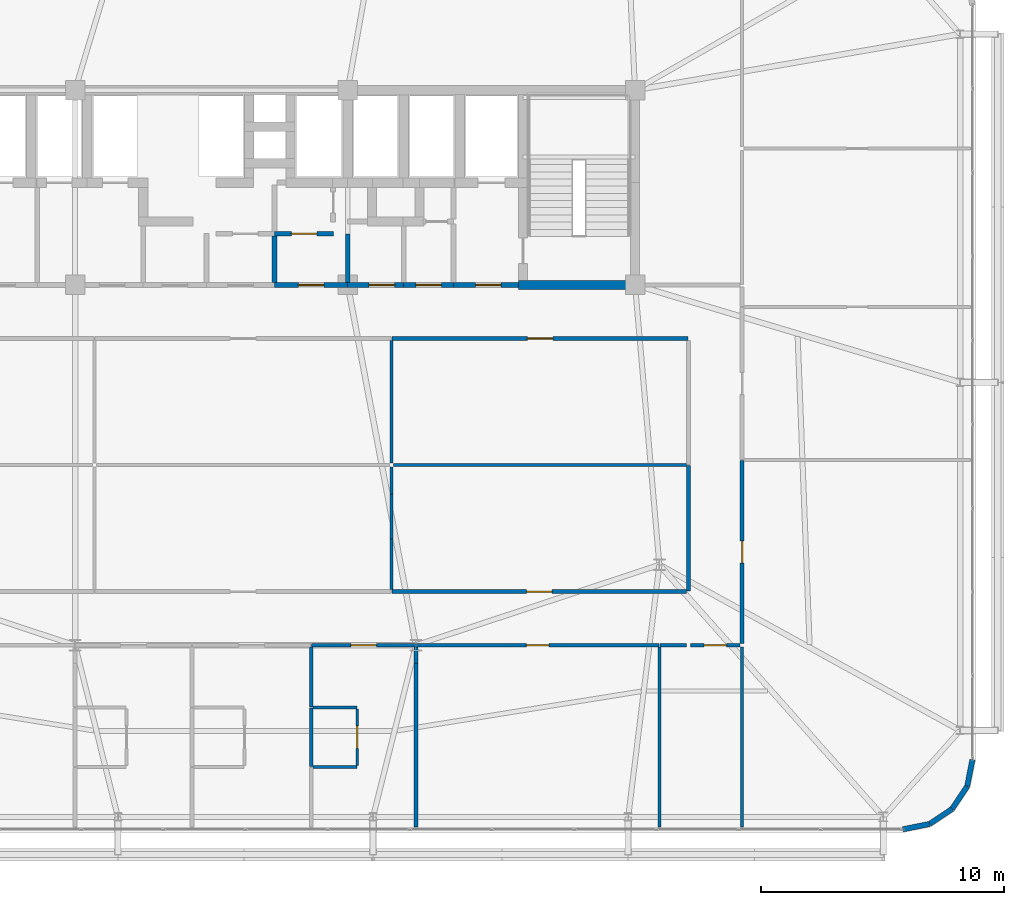
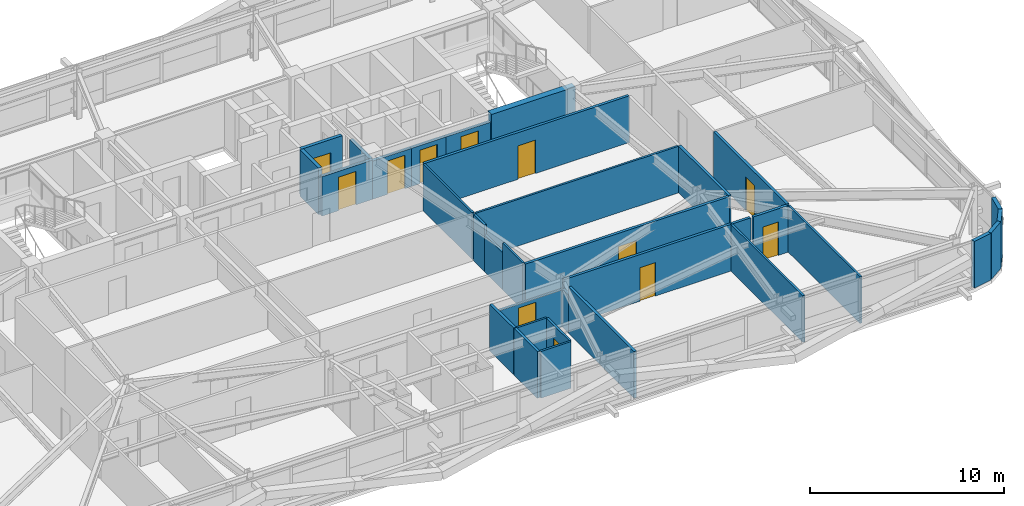
# One storey, part 54 of 59: 34 walls, 12 doors, 12 openings.
"""IFC4 building model written with IfcOpenShell, lengths in metres."""

from ifc_helpers import new_model, si_unit, direction, frame, frame_2d, origin, place, context, subcontext, project, spatial, rectangle, extrude, source, transform, mapped, material, layer, layer_set, type_object, element, fill, save


model = new_model("IFC4")

# Units and contexts
model_context = context("Model", 3, precision=1e-05, world=origin(), true_north=direction((0.0, 1.0)))
body_context = subcontext(model_context, "Body", "Model", "MODEL_VIEW")
ifc_project = project(units=[si_unit("LENGTHUNIT", "METRE"), si_unit("AREAUNIT", "SQUARE_METRE"), si_unit("VOLUMEUNIT", "CUBIC_METRE"), si_unit("PLANEANGLEUNIT", "RADIAN"), si_unit("MASSUNIT", "GRAM", prefix="KILO")], contexts=[model_context])

# Site, building, storey
site_placement = place(None, origin())
site = spatial("IfcSite", under=ifc_project, at=site_placement, CompositionType="ELEMENT")
building_placement = place(site_placement, origin())
building = spatial("IfcBuilding", under=site, at=building_placement, Name="Taldren Reach Tower", CompositionType="ELEMENT")
storey_placement = place(building_placement, frame((0.0, 0.0, 48.300048828125)))
storey = spatial("IfcBuildingStorey", under=building, at=storey_placement, Name="L14", CompositionType="ELEMENT", Elevation=48.300048828125)

# Walls
ifc_material_1 = material(Name="Pale Champagne Anodised Aluminium Cladding", Category="aluminium")
ifc_layer_1 = layer(ifc_material_1, 0.04, Name="Pale Champagne Anodised Aluminium Cladding", Category="aluminium")
ifc_material_2 = material(Name="Mineral Wool Acoustic Insulation", Category="insulation")
ifc_layer_2 = layer(ifc_material_2, 0.06, Name="Mineral Wool Acoustic Insulation", Category="insulation")
ifc_material_3 = material(Name="Steel Gr 350 (C350L0)", Category="steel")
ifc_layer_3 = layer(ifc_material_3, 0.12, Name="Steel Gr 350 (C350L0)", Category="steel")
ifc_layer_set_1 = layer_set([ifc_layer_1, ifc_layer_2, ifc_layer_3], Name="Pale Champagne Aluminium Cladding and Steel Gr 350 Stud Framing")
wall_type_1 = type_object("IfcWallType", Name="EW-CRN-220", PredefinedType="SOLIDWALL", material=ifc_layer_set_1)
shared_shape_1 = source(origin(), body_context, "Body", "SweptSolid", [
    extrude(rectangle(XDim=1.115966796875, YDim=0.219970703125, at=frame_2d((0.55810546875, 0.0))), origin(), (0.0, 0.0, 1.0), 2.929931640625),
])
for number, where, z_axis, x_axis, name in (
    (1, (62.0, 1.639892578125, 0.0), (0.0, 0.0, 1.0), (0.98077373103, 0.195148375659, 0.0), "Rounded-corner pale-metal facade wall L14-SE1"),
    (2, (63.094482421875, 1.857666015625, 0.0), (0.0, 0.0, 1.0), (0.83137650226, 0.555709556774, 0.0), "Rounded-corner pale-metal facade wall L14-SE2"),
    (3, (64.022216796875, 2.477783203125, 0.0), (0.0, 0.0, 1.0), (0.555709556774, 0.83137650226, 0.0), "Rounded-corner pale-metal facade wall L14-SE3"),
    (4, (64.642333984375, 3.405517578125, 0.0), (0.0, 0.0, 1.0), (0.195148375659, 0.98077373103, 0.0), "Rounded-corner pale-metal facade wall L14-SE4"),
):
    element("IfcWall", number, at=place(storey_placement, frame(where, z_axis=z_axis, x_axis=x_axis)), inside=storey, type_object=wall_type_1, Name=name, PredefinedType="SOLIDWALL", context=body_context, shape_type="MappedRepresentation", body=[
        mapped(shared_shape_1, transform((0.0, 0.0, 0.0), scale=1.0)),
    ])
ifc_material_4 = material(Name="Concrete S80 (80 MPa)", Category="concrete")
ifc_layer_4 = layer(ifc_material_4, 0.3798828125)
ifc_layer_set_2 = layer_set([ifc_layer_4], Name="Concrete S80 (80 MPa)")
wall_type_2 = type_object("IfcWallType", Name="IW-CORE-380", PredefinedType="SHEAR", material=ifc_layer_set_2)
shared_shape_2 = source(origin(), body_context, "Body", "SweptSolid", [
    extrude(rectangle(XDim=4.97998046875, YDim=0.3798828125, at=frame_2d((2.489990234375, 0.0))), origin(), (0.0, 0.0, 1.0), 2.929931640625),
])
wall_1_placement = place(storey_placement, frame((46.2099609375, 24.0, 0.0), z_axis=(0.0, 0.0, 1.0), x_axis=(1.0, 0.0, 0.0)))
element("IfcWall", 5, at=wall_1_placement, inside=storey, type_object=wall_type_2, Name="Rear Core Shear Wall W-INT-L14-010", PredefinedType="SHEAR", context=body_context, shape_type="MappedRepresentation", body=[
    mapped(shared_shape_2, transform((0.0, 0.0, 0.0), scale=1.0)),
])

# Wall, opening, door
ifc_material_5 = material(Name="Concrete S50 (50 MPa)", Category="concrete")
ifc_layer_5 = layer(ifc_material_5, 0.199951171875)
ifc_layer_set_3 = layer_set([ifc_layer_5], Name="Concrete S50 (50 MPa)")
wall_type_3 = type_object("IfcWallType", Name="IW-CORE-200", PredefinedType="SOLIDWALL", material=ifc_layer_set_3)
shared_shape_3 = source(origin(), body_context, "Body", "SweptSolid", [
    extrude(rectangle(XDim=2.659912109375, YDim=0.199951171875, at=frame_2d((1.330078125, 0.0))), origin(), (0.0, 0.0, 1.0), 2.39697265625),
])
wall_2_placement = place(storey_placement, frame((43.550048828125, 24.0, 0.0), z_axis=(0.0, 0.0, 1.0), x_axis=(1.0, 0.0, 0.0)))
wall_2 = element("IfcWall", 6, at=wall_2_placement, inside=storey, type_object=wall_type_3, Name="Rear Core Shear Wall W-INT-L14-015", PredefinedType="SOLIDWALL", context=body_context, shape_type="MappedRepresentation", body=[
    mapped(shared_shape_3, transform((0.0, 0.0, 0.0), scale=1.0)),
])
shared_shape_4 = source(origin(), body_context, "Body", "SweptSolid", [
    extrude(rectangle(XDim=1.050048828125, YDim=2.10009765625, at=frame_2d((0.52490234375, 1.050048828125))), frame((0.0, 0.10986328125, 0.0), z_axis=(0.0, -1.0, 0.0), x_axis=(1.0, 0.0, 0.0)), (0.0, 0.0, 1.0), 0.219970703125),
])
opening_1_placement = place(wall_2_placement, frame((0.89990234375, 0.0, 0.0)))
opening_1 = element("IfcOpeningElement", 7, at=opening_1_placement, cuts=wall_2, Name="Opening DF-105", PredefinedType="OPENING", context=body_context, shape_type="MappedRepresentation", body=[
    mapped(shared_shape_4, transform((0.0, 0.0, 0.0), scale=1.0)),
])
ifc_material_6 = material(Name="Fire-Rated Care and Stair Exit Door")
door_type_1 = type_object("IfcDoorType", Name="ID-FIRE-105", OperationType="NOTDEFINED", PredefinedType="DOOR", material=ifc_material_6)
shared_shape_5 = source(origin(), body_context, "Body", "SweptSolid", [
    extrude(rectangle(XDim=1.050048828125, YDim=2.10009765625, at=frame_2d((0.52490234375, 1.050048828125))), frame((0.0, 0.02490234375, 0.0), z_axis=(0.0, -1.0, 0.0), x_axis=(1.0, 0.0, 0.0)), (0.0, 0.0, 1.0), 0.050048828125),
])
door_1_placement = place(opening_1_placement, origin())
door_1 = element("IfcDoor", 8, at=door_1_placement, inside=storey, type_object=door_type_1, Name="Interior Door DR-L14-004", OperationType="SINGLE_SWING_LEFT", OverallHeight=2.10009765625, OverallWidth=1.050048828125, PredefinedType="DOOR", context=body_context, shape_type="MappedRepresentation", body=[
    mapped(shared_shape_5, transform((0.0, 0.0, 0.0), scale=1.0)),
])
fill(opening_1, door_1)

# Wall
shared_shape_6 = source(origin(), body_context, "Body", "SweptSolid", [
    extrude(rectangle(XDim=2.0, YDim=0.199951171875, at=frame_2d((1.0, 0.0))), origin(), (0.0, 0.0, 1.0), 2.469970703125),
])
wall_3_placement = place(storey_placement, frame((39.199951171875, 26.10009765625, 0.0), z_axis=(0.0, 0.0, 1.0), x_axis=(0.0, -1.0, 0.0)))
element("IfcWall", 9, at=wall_3_placement, inside=storey, type_object=wall_type_3, Name="Rear Core Shear Wall W-INT-L14-052", PredefinedType="SOLIDWALL", context=body_context, shape_type="MappedRepresentation", body=[
    mapped(shared_shape_6, transform((0.0, 0.0, 0.0), scale=1.0)),
])

# Wall, opening, door
ifc_material_7 = material(Name="Fire-Rated Acoustic Plasterboard Stud Wall", Category="gypsum")
ifc_layer_6 = layer(ifc_material_7, 0.159912109375)
ifc_layer_set_4 = layer_set([ifc_layer_6], Name="Fire-Rated Acoustic Plasterboard Stud Wall")
wall_type_4 = type_object("IfcWallType", Name="IW-FIRE-160", PredefinedType="PARTITIONING", material=ifc_layer_set_4)
shared_shape_7 = source(origin(), body_context, "Body", "SweptSolid", [
    extrude(rectangle(XDim=2.0400390625, YDim=0.159912109375, at=frame_2d((1.02001953125, 0.0))), origin(), (0.0, 0.0, 1.0), 2.929931640625),
])
wall_4_placement = place(storey_placement, frame((55.320068359375, 9.199951171875, 0.0), z_axis=(0.0, 0.0, 1.0), x_axis=(-1.0, 0.0, 0.0)))
wall_4 = element("IfcWall", 10, at=wall_4_placement, inside=storey, type_object=wall_type_4, Name="Interior Partition Wall W-INT-L14-068", PredefinedType="PARTITIONING", context=body_context, shape_type="MappedRepresentation", body=[
    mapped(shared_shape_7, transform((0.0, 0.0, 0.0), scale=1.0)),
])
shared_shape_8 = source(origin(), body_context, "Body", "SweptSolid", [
    extrude(rectangle(XDim=0.919921875, YDim=2.10009765625, at=frame_2d((0.4599609375, 1.050048828125))), frame((0.0, 0.08984375, 0.0), z_axis=(0.0, -1.0, 0.0), x_axis=(1.0, 0.0, 0.0)), (0.0, 0.0, 1.0), 0.179931640625),
])
opening_2_placement = place(wall_4_placement, frame((0.56005859375, 0.0, 0.0)))
opening_2 = element("IfcOpeningElement", 11, at=opening_2_placement, cuts=wall_4, Name="Opening DI-092", PredefinedType="OPENING", context=body_context, shape_type="MappedRepresentation", body=[
    mapped(shared_shape_8, transform((0.0, 0.0, 0.0), scale=1.0)),
])
ifc_material_8 = material(Name="Solid-Core Timber Suite Door", Category="wood")
door_type_2 = type_object("IfcDoorType", Name="ID-INT-092", OperationType="NOTDEFINED", PredefinedType="DOOR", material=ifc_material_8)
shared_shape_9 = source(origin(), body_context, "Body", "SweptSolid", [
    extrude(rectangle(XDim=0.919921875, YDim=2.10009765625, at=frame_2d((0.4599609375, 1.050048828125))), frame((0.0, 0.02490234375, 0.0), z_axis=(0.0, -1.0, 0.0), x_axis=(1.0, 0.0, 0.0)), (0.0, 0.0, 1.0), 0.050048828125),
])
door_2_placement = place(opening_2_placement, origin())
door_2 = element("IfcDoor", 12, at=door_2_placement, inside=storey, type_object=door_type_2, Name="Interior Door DR-L14-018", OperationType="SINGLE_SWING_LEFT", OverallHeight=2.10009765625, OverallWidth=0.919921875, PredefinedType="DOOR", context=body_context, shape_type="MappedRepresentation", body=[
    mapped(shared_shape_9, transform((0.0, 0.0, 0.0), scale=1.0)),
])
fill(opening_2, door_2)

# Walls
ifc_material_9 = material(Name="Insulated Residential Stud Partition", Category="gypsum")
ifc_layer_7 = layer(ifc_material_9, 0.1201171875)
ifc_layer_set_5 = layer_set([ifc_layer_7], Name="Insulated Residential Stud Partition")
wall_type_5 = type_object("IfcWallType", Name="IW-PART-120", PredefinedType="PARTITIONING", material=ifc_layer_set_5)
shared_shape_10 = source(origin(), body_context, "Body", "SweptSolid", [
    extrude(rectangle(XDim=7.39013671875, YDim=0.1201171875, at=frame_2d((3.695068359375, 0.0))), origin(), (0.0, 0.0, 1.0), 2.929931640625),
])
wall_5_placement = place(storey_placement, frame((52.0, 9.1201171875, 0.0), z_axis=(0.0, 0.0, 1.0), x_axis=(0.0, -1.0, 0.0)))
element("IfcWall", 13, at=wall_5_placement, inside=storey, type_object=wall_type_5, Name="Interior Partition Wall W-INT-L14-115", PredefinedType="PARTITIONING", context=body_context, shape_type="MappedRepresentation", body=[
    mapped(shared_shape_10, transform((0.0, 0.0, 0.0), scale=1.0)),
])
shared_shape_11 = source(origin(), body_context, "Body", "SweptSolid", [
    extrude(rectangle(XDim=5.15966796875, YDim=0.159912109375, at=frame_2d((2.579833984375, 0.0))), origin(), (0.0, 0.0, 1.0), 2.929931640625),
])
wall_6_placement = place(storey_placement, frame((53.199951171875, 11.420166015625, 0.0), z_axis=(0.0, 0.0, 1.0), x_axis=(0.0, 1.0, 0.0)))
element("IfcWall", 14, at=wall_6_placement, inside=storey, type_object=wall_type_4, Name="Interior Partition Wall W-INT-L14-064", PredefinedType="PARTITIONING", context=body_context, shape_type="MappedRepresentation", body=[
    mapped(shared_shape_11, transform((0.0, 0.0, 0.0), scale=1.0)),
])
shared_shape_12 = source(origin(), body_context, "Body", "SweptSolid", [
    extrude(rectangle(XDim=1.099853515625, YDim=0.159912109375, at=frame_2d((0.5498046875, 0.0))), origin(), (0.0, 0.0, 1.0), 2.929931640625),
])
wall_7_placement = place(storey_placement, frame((53.1201171875, 9.199951171875, 0.0), z_axis=(0.0, 0.0, 1.0), x_axis=(-1.0, 0.0, 0.0)))
element("IfcWall", 15, at=wall_7_placement, inside=storey, type_object=wall_type_4, Name="Interior Partition Wall W-INT-L14-086", PredefinedType="PARTITIONING", context=body_context, shape_type="MappedRepresentation", body=[
    mapped(shared_shape_12, transform((0.0, 0.0, 0.0), scale=1.0)),
])
shared_shape_13 = source(origin(), body_context, "Body", "SweptSolid", [
    extrude(rectangle(XDim=5.0400390625, YDim=0.1201171875, at=frame_2d((2.52001953125, 0.0))), origin(), (0.0, 0.0, 1.0), 2.929931640625),
])
wall_8_placement = place(storey_placement, frame((41.0, 21.719970703125, 0.0), z_axis=(0.0, 0.0, 1.0), x_axis=(0.0, -1.0, 0.0)))
element("IfcWall", 16, at=wall_8_placement, inside=storey, type_object=wall_type_5, Name="Interior Partition Wall W-INT-L14-092", PredefinedType="PARTITIONING", context=body_context, shape_type="MappedRepresentation", body=[
    mapped(shared_shape_13, transform((0.0, 0.0, 0.0), scale=1.0)),
])

# Wall, opening, door
shared_shape_14 = source(origin(), body_context, "Body", "SweptSolid", [
    extrude(rectangle(XDim=2.330078125, YDim=0.1201171875, at=frame_2d((1.1650390625, 0.0))), origin(), (0.0, 0.0, 1.0), 2.929931640625),
])
wall_9_placement = place(storey_placement, frame((39.592041015625, 4.260009765625, 0.0), z_axis=(0.0, 0.0, 1.0), x_axis=(0.0, 1.0, 0.0)))
wall_9 = element("IfcWall", 17, at=wall_9_placement, inside=storey, type_object=wall_type_5, Name="Interior Partition Wall W-INT-L14-111", PredefinedType="PARTITIONING", context=body_context, shape_type="MappedRepresentation", body=[
    mapped(shared_shape_14, transform((0.0, 0.0, 0.0), scale=1.0)),
])
shared_shape_15 = source(origin(), body_context, "Body", "SweptSolid", [
    extrude(rectangle(XDim=0.919921875, YDim=2.10009765625, at=frame_2d((0.4599609375, 1.050048828125))), frame((0.0, 0.070068359375, 0.0), z_axis=(0.0, -1.0, 0.0), x_axis=(1.0, 0.0, 0.0)), (0.0, 0.0, 1.0), 0.14013671875),
])
opening_3_placement = place(wall_9_placement, frame((0.705078125, 0.0, 0.0)))
opening_3 = element("IfcOpeningElement", 18, at=opening_3_placement, cuts=wall_9, Name="Opening DI-092", PredefinedType="OPENING", context=body_context, shape_type="MappedRepresentation", body=[
    mapped(shared_shape_15, transform((0.0, 0.0, 0.0), scale=1.0)),
])
door_3_placement = place(opening_3_placement, origin())
door_3 = element("IfcDoor", 19, at=door_3_placement, inside=storey, type_object=door_type_2, Name="Interior Door DR-L14-034", OperationType="SINGLE_SWING_LEFT", OverallHeight=2.10009765625, OverallWidth=0.919921875, PredefinedType="DOOR", context=body_context, shape_type="MappedRepresentation", body=[
    mapped(shared_shape_9, transform((0.0, 0.0, 0.0), scale=1.0)),
])
fill(opening_3, door_3)

# Walls
shared_shape_16 = source(origin(), body_context, "Body", "SweptSolid", [
    extrude(rectangle(XDim=2.44775390625, YDim=0.159912109375, at=frame_2d((1.223876953125, 0.0))), origin(), (0.0, 0.0, 1.0), 2.929931640625),
])
wall_10_placement = place(storey_placement, frame((37.699951171875, 9.117919921875, 0.0), z_axis=(0.0, 0.0, 1.0), x_axis=(0.0, -1.0, 0.0)))
element("IfcWall", 20, at=wall_10_placement, inside=storey, type_object=wall_type_4, Name="Interior Partition Wall W-INT-L14-109", PredefinedType="PARTITIONING", context=body_context, shape_type="MappedRepresentation", body=[
    mapped(shared_shape_16, transform((0.0, 0.0, 0.0), scale=1.0)),
])
shared_shape_17 = source(origin(), body_context, "Body", "SweptSolid", [
    extrude(rectangle(XDim=2.40966796875, YDim=0.159912109375, at=frame_2d((1.204833984375, 0.0))), origin(), (0.0, 0.0, 1.0), 2.929931640625),
])
wall_11_placement = place(storey_placement, frame((37.699951171875, 6.6298828125, 0.0), z_axis=(0.0, 0.0, 1.0), x_axis=(0.0, -1.0, 0.0)))
element("IfcWall", 21, at=wall_11_placement, inside=storey, type_object=wall_type_4, Name="Interior Partition Wall W-INT-L14-110", PredefinedType="PARTITIONING", context=body_context, shape_type="MappedRepresentation", body=[
    mapped(shared_shape_17, transform((0.0, 0.0, 0.0), scale=1.0)),
])
shared_shape_18 = source(origin(), body_context, "Body", "SweptSolid", [
    extrude(rectangle(XDim=0.669921875, YDim=0.159912109375, at=frame_2d((0.3349609375, 0.0))), origin(), (0.0, 0.0, 1.0), 2.39697265625),
])
wall_12_placement = place(storey_placement, frame((42.0, 9.117919921875, 0.0), z_axis=(0.0, 0.0, 1.0), x_axis=(0.0, -1.0, 0.0)))
element("IfcWall", 22, at=wall_12_placement, inside=storey, type_object=wall_type_4, Name="Interior Partition Wall W-INT-L14-114", PredefinedType="PARTITIONING", context=body_context, shape_type="MappedRepresentation", body=[
    mapped(shared_shape_18, transform((0.0, 0.0, 0.0), scale=1.0)),
])
shared_shape_19 = source(origin(), body_context, "Body", "SweptSolid", [
    extrude(rectangle(XDim=6.716064453125, YDim=0.159912109375, at=frame_2d((3.35791015625, 0.0))), origin(), (0.0, 0.0, 1.0), 2.929931640625),
])
wall_13_placement = place(storey_placement, frame((42.0, 8.447998046875, 0.0), z_axis=(0.0, 0.0, 1.0), x_axis=(0.0, -1.0, 0.0)))
element("IfcWall", 23, at=wall_13_placement, inside=storey, type_object=wall_type_4, Name="Interior Partition Wall W-INT-L14-114 part 2", PredefinedType="PARTITIONING", context=body_context, shape_type="MappedRepresentation", body=[
    mapped(shared_shape_19, transform((0.0, 0.0, 0.0), scale=1.0)),
])
shared_shape_20 = source(origin(), body_context, "Body", "SweptSolid", [
    extrude(rectangle(XDim=1.89990234375, YDim=0.199951171875, at=frame_2d((0.949951171875, 0.0))), origin(), (0.0, 0.0, 1.0), 2.929931640625),
])
wall_14_placement = place(storey_placement, frame((36.199951171875, 26.0, 0.0), z_axis=(0.0, 0.0, 1.0), x_axis=(0.0, -1.0, 0.0)))
element("IfcWall", 24, at=wall_14_placement, inside=storey, type_object=wall_type_3, Name="Rear Core Shear Wall W-INT-L14-047", PredefinedType="SOLIDWALL", context=body_context, shape_type="MappedRepresentation", body=[
    mapped(shared_shape_20, transform((0.0, 0.0, 0.0), scale=1.0)),
])

# Wall, opening, door
shared_shape_21 = source(origin(), body_context, "Body", "SweptSolid", [
    extrude(rectangle(XDim=2.420166015625, YDim=0.199951171875, at=frame_2d((1.2099609375, 0.0))), origin(), (0.0, 0.0, 1.0), 2.929931640625),
])
wall_15_placement = place(storey_placement, frame((36.199951171875, 26.10009765625, 0.0), z_axis=(0.0, 0.0, 1.0), x_axis=(1.0, 0.0, 0.0)))
wall_15 = element("IfcWall", 25, at=wall_15_placement, inside=storey, type_object=wall_type_3, Name="Rear Core Shear Wall W-INT-L14-051", PredefinedType="SOLIDWALL", context=body_context, shape_type="MappedRepresentation", body=[
    mapped(shared_shape_21, transform((0.0, 0.0, 0.0), scale=1.0)),
])
opening_4_placement = place(wall_15_placement, frame((0.68505859375, 0.0, 0.0)))
opening_4 = element("IfcOpeningElement", 26, at=opening_4_placement, cuts=wall_15, Name="Opening DF-105", PredefinedType="OPENING", context=body_context, shape_type="MappedRepresentation", body=[
    mapped(shared_shape_4, transform((0.0, 0.0, 0.0), scale=1.0)),
])
door_4_placement = place(opening_4_placement, origin())
door_4 = element("IfcDoor", 27, at=door_4_placement, inside=storey, type_object=door_type_1, Name="Interior Door DR-L14-009", OperationType="SINGLE_SWING_RIGHT", OverallHeight=2.10009765625, OverallWidth=1.050048828125, PredefinedType="DOOR", context=body_context, shape_type="MappedRepresentation", body=[
    mapped(shared_shape_5, transform((0.0, 0.0, 0.0), scale=1.0)),
])
fill(opening_4, door_4)

shared_shape_22 = source(origin(), body_context, "Body", "SweptSolid", [
    extrude(rectangle(XDim=3.0, YDim=0.199951171875, at=frame_2d((1.5, 0.0))), origin(), (0.0, 0.0, 1.0), 2.469970703125),
])
wall_16_placement = place(storey_placement, frame((39.199951171875, 24.0, 0.0), z_axis=(0.0, 0.0, 1.0), x_axis=(-1.0, 0.0, 0.0)))
wall_16 = element("IfcWall", 28, at=wall_16_placement, inside=storey, type_object=wall_type_3, Name="Rear Core Shear Wall W-INT-L14-053", PredefinedType="SOLIDWALL", context=body_context, shape_type="MappedRepresentation", body=[
    mapped(shared_shape_22, transform((0.0, 0.0, 0.0), scale=1.0)),
])
opening_5_placement = place(wall_16_placement, frame((0.97509765625, 0.0, 0.0)))
opening_5 = element("IfcOpeningElement", 29, at=opening_5_placement, cuts=wall_16, Name="Opening DF-105", PredefinedType="OPENING", context=body_context, shape_type="MappedRepresentation", body=[
    mapped(shared_shape_4, transform((0.0, 0.0, 0.0), scale=1.0)),
])
door_5_placement = place(opening_5_placement, frame((1.050048828125, 0.0, 0.0), z_axis=(0.0, 0.0, 1.0), x_axis=(-1.0, 0.0, 0.0)))
door_5 = element("IfcDoor", 30, at=door_5_placement, inside=storey, type_object=door_type_1, Name="Interior Door DR-L14-010", OperationType="SINGLE_SWING_RIGHT", OverallHeight=2.10009765625, OverallWidth=1.050048828125, PredefinedType="DOOR", context=body_context, shape_type="MappedRepresentation", body=[
    mapped(shared_shape_5, transform((0.0, 0.0, 0.0), scale=1.0)),
])
fill(opening_5, door_5)

shared_shape_23 = source(origin(), body_context, "Body", "SweptSolid", [
    extrude(rectangle(XDim=2.300048828125, YDim=0.199951171875, at=frame_2d((1.14990234375, 0.0))), origin(), (0.0, 0.0, 1.0), 2.39697265625),
])
wall_17_placement = place(storey_placement, frame((41.5, 24.0, 0.0), z_axis=(0.0, 0.0, 1.0), x_axis=(-1.0, 0.0, 0.0)))
wall_17 = element("IfcWall", 31, at=wall_17_placement, inside=storey, type_object=wall_type_3, Name="Rear Core Shear Wall W-INT-L14-057", PredefinedType="SOLIDWALL", context=body_context, shape_type="MappedRepresentation", body=[
    mapped(shared_shape_23, transform((0.0, 0.0, 0.0), scale=1.0)),
])
opening_6_placement = place(wall_17_placement, frame((0.375, 0.0, 0.0)))
opening_6 = element("IfcOpeningElement", 32, at=opening_6_placement, cuts=wall_17, Name="Opening DF-105", PredefinedType="OPENING", context=body_context, shape_type="MappedRepresentation", body=[
    mapped(shared_shape_4, transform((0.0, 0.0, 0.0), scale=1.0)),
])
door_6_placement = place(opening_6_placement, frame((1.050048828125, 0.0, 0.0), z_axis=(0.0, 0.0, 1.0), x_axis=(-1.0, 0.0, 0.0)))
door_6 = element("IfcDoor", 33, at=door_6_placement, inside=storey, type_object=door_type_1, Name="Interior Door DR-L14-011", OperationType="SINGLE_SWING_RIGHT", OverallHeight=2.10009765625, OverallWidth=1.050048828125, PredefinedType="DOOR", context=body_context, shape_type="MappedRepresentation", body=[
    mapped(shared_shape_5, transform((0.0, 0.0, 0.0), scale=1.0)),
])
fill(opening_6, door_6)

shared_shape_24 = source(origin(), body_context, "Body", "SweptSolid", [
    extrude(rectangle(XDim=2.050048828125, YDim=0.199951171875, at=frame_2d((1.02490234375, 0.0))), origin(), (0.0, 0.0, 1.0), 2.39697265625),
])
wall_18_placement = place(storey_placement, frame((43.550048828125, 24.0, 0.0), z_axis=(0.0, 0.0, 1.0), x_axis=(-1.0, 0.0, 0.0)))
wall_18 = element("IfcWall", 34, at=wall_18_placement, inside=storey, type_object=wall_type_3, Name="Rear Core Shear Wall W-INT-L14-059", PredefinedType="SOLIDWALL", context=body_context, shape_type="MappedRepresentation", body=[
    mapped(shared_shape_24, transform((0.0, 0.0, 0.0), scale=1.0)),
])
opening_7_placement = place(wall_18_placement, frame((0.5, 0.0, 0.0)))
opening_7 = element("IfcOpeningElement", 35, at=opening_7_placement, cuts=wall_18, Name="Opening DF-105", PredefinedType="OPENING", context=body_context, shape_type="MappedRepresentation", body=[
    mapped(shared_shape_4, transform((0.0, 0.0, 0.0), scale=1.0)),
])
door_7_placement = place(opening_7_placement, frame((1.050048828125, 0.0, 0.0), z_axis=(0.0, 0.0, 1.0), x_axis=(-1.0, 0.0, 0.0)))
door_7 = element("IfcDoor", 36, at=door_7_placement, inside=storey, type_object=door_type_1, Name="Interior Door DR-L14-013", OperationType="SINGLE_SWING_LEFT", OverallHeight=2.10009765625, OverallWidth=1.050048828125, PredefinedType="DOOR", context=body_context, shape_type="MappedRepresentation", body=[
    mapped(shared_shape_5, transform((0.0, 0.0, 0.0), scale=1.0)),
])
fill(opening_7, door_7)

shared_shape_25 = source(origin(), body_context, "Body", "SweptSolid", [
    extrude(rectangle(XDim=12.159423828125, YDim=0.159912109375, at=frame_2d((6.07958984375, 0.0))), origin(), (0.0, 0.0, 1.0), 2.929931640625),
])
wall_19_placement = place(storey_placement, frame((53.1796875, 21.800048828125, 0.0), z_axis=(0.0, 0.0, 1.0), x_axis=(-1.0, 0.0, 0.0)))
wall_19 = element("IfcWall", 37, at=wall_19_placement, inside=storey, type_object=wall_type_4, Name="Interior Partition Wall W-INT-L14-065", PredefinedType="PARTITIONING", context=body_context, shape_type="MappedRepresentation", body=[
    mapped(shared_shape_25, transform((0.0, 0.0, 0.0), scale=1.0)),
])
shared_shape_26 = source(origin(), body_context, "Body", "SweptSolid", [
    extrude(rectangle(XDim=1.050048828125, YDim=2.10009765625, at=frame_2d((0.52490234375, 1.050048828125))), frame((0.0, 0.08984375, 0.0), z_axis=(0.0, -1.0, 0.0), x_axis=(1.0, 0.0, 0.0)), (0.0, 0.0, 1.0), 0.179931640625),
])
opening_8_placement = place(wall_19_placement, frame((5.5546875, 0.0, 0.0)))
opening_8 = element("IfcOpeningElement", 38, at=opening_8_placement, cuts=wall_19, Name="Opening DF-105", PredefinedType="OPENING", context=body_context, shape_type="MappedRepresentation", body=[
    mapped(shared_shape_26, transform((0.0, 0.0, 0.0), scale=1.0)),
])
door_8_placement = place(opening_8_placement, origin())
door_8 = element("IfcDoor", 39, at=door_8_placement, inside=storey, type_object=door_type_1, Name="Interior Door DR-L14-016", OperationType="SINGLE_SWING_LEFT", OverallHeight=2.10009765625, OverallWidth=1.050048828125, PredefinedType="DOOR", context=body_context, shape_type="MappedRepresentation", body=[
    mapped(shared_shape_5, transform((0.0, 0.0, 0.0), scale=1.0)),
])
fill(opening_8, door_8)

shared_shape_27 = source(origin(), body_context, "Body", "SweptSolid", [
    extrude(rectangle(XDim=12.099853515625, YDim=0.159912109375, at=frame_2d((6.0498046875, 0.0))), origin(), (0.0, 0.0, 1.0), 2.929931640625),
])
wall_20_placement = place(storey_placement, frame((41.020263671875, 11.39990234375, 0.0), z_axis=(0.0, 0.0, 1.0), x_axis=(1.0, 0.0, 0.0)))
wall_20 = element("IfcWall", 40, at=wall_20_placement, inside=storey, type_object=wall_type_4, Name="Interior Partition Wall W-INT-L14-079", PredefinedType="PARTITIONING", context=body_context, shape_type="MappedRepresentation", body=[
    mapped(shared_shape_27, transform((0.0, 0.0, 0.0), scale=1.0)),
])
opening_9_placement = place(wall_20_placement, frame((5.52490234375, 0.0, 0.0)))
opening_9 = element("IfcOpeningElement", 41, at=opening_9_placement, cuts=wall_20, Name="Opening DF-105", PredefinedType="OPENING", context=body_context, shape_type="MappedRepresentation", body=[
    mapped(shared_shape_26, transform((0.0, 0.0, 0.0), scale=1.0)),
])
door_9_placement = place(opening_9_placement, origin())
door_9 = element("IfcDoor", 42, at=door_9_placement, inside=storey, type_object=door_type_1, Name="Interior Door DR-L14-026", OperationType="SINGLE_SWING_LEFT", OverallHeight=2.10009765625, OverallWidth=1.050048828125, PredefinedType="DOOR", context=body_context, shape_type="MappedRepresentation", body=[
    mapped(shared_shape_5, transform((0.0, 0.0, 0.0), scale=1.0)),
])
fill(opening_9, door_9)

shared_shape_28 = source(origin(), body_context, "Body", "SweptSolid", [
    extrude(rectangle(XDim=9.95947265625, YDim=0.159912109375, at=frame_2d((4.979736328125, 0.0))), origin(), (0.0, 0.0, 1.0), 2.929931640625),
])
wall_21_placement = place(storey_placement, frame((51.979736328125, 9.199951171875, 0.0), z_axis=(0.0, 0.0, 1.0), x_axis=(-1.0, 0.0, 0.0)))
wall_21 = element("IfcWall", 43, at=wall_21_placement, inside=storey, type_object=wall_type_4, Name="Interior Partition Wall W-INT-L14-085", PredefinedType="PARTITIONING", context=body_context, shape_type="MappedRepresentation", body=[
    mapped(shared_shape_28, transform((0.0, 0.0, 0.0), scale=1.0)),
])
opening_10_placement = place(wall_21_placement, frame((4.519775390625, 0.0, 0.0)))
opening_10 = element("IfcOpeningElement", 44, at=opening_10_placement, cuts=wall_21, Name="Opening DI-092", PredefinedType="OPENING", context=body_context, shape_type="MappedRepresentation", body=[
    mapped(shared_shape_8, transform((0.0, 0.0, 0.0), scale=1.0)),
])
door_10_placement = place(opening_10_placement, origin())
door_10 = element("IfcDoor", 45, at=door_10_placement, inside=storey, type_object=door_type_2, Name="Interior Door DR-L14-031", OperationType="SINGLE_SWING_RIGHT", OverallHeight=2.10009765625, OverallWidth=0.919921875, PredefinedType="DOOR", context=body_context, shape_type="MappedRepresentation", body=[
    mapped(shared_shape_9, transform((0.0, 0.0, 0.0), scale=1.0)),
])
fill(opening_10, door_10)

# Walls
shared_shape_29 = source(origin(), body_context, "Body", "SweptSolid", [
    extrude(rectangle(XDim=1.10400390625, YDim=0.1201171875, at=frame_2d((0.552001953125, 0.0))), origin(), (0.0, 0.0, 1.0), 2.929931640625),
])
wall_22_placement = place(storey_placement, frame((41.0, 16.52001953125, 0.0), z_axis=(0.0, 0.0, 1.0), x_axis=(0.0, -1.0, 0.0)))
element("IfcWall", 46, at=wall_22_placement, inside=storey, type_object=wall_type_5, Name="Interior Partition Wall W-INT-L14-091", PredefinedType="PARTITIONING", context=body_context, shape_type="MappedRepresentation", body=[
    mapped(shared_shape_29, transform((0.0, 0.0, 0.0), scale=1.0)),
])
shared_shape_30 = source(origin(), body_context, "Body", "SweptSolid", [
    extrude(rectangle(XDim=1.860595703125, YDim=0.1201171875, at=frame_2d((0.93017578125, 0.0))), origin(), (0.0, 0.0, 1.0), 2.327880859375),
])
wall_23_placement = place(storey_placement, frame((41.0, 15.416015625, 0.0), z_axis=(0.0, 0.0, 1.0), x_axis=(0.0, -1.0, 0.0)))
element("IfcWall", 47, at=wall_23_placement, inside=storey, type_object=wall_type_5, Name="Interior Partition Wall W-INT-L14-091 part 2", PredefinedType="PARTITIONING", context=body_context, shape_type="MappedRepresentation", body=[
    mapped(shared_shape_30, transform((0.0, 0.0, 0.0), scale=1.0)),
])
shared_shape_31 = source(origin(), body_context, "Body", "SweptSolid", [
    extrude(rectangle(XDim=2.075439453125, YDim=0.1201171875, at=frame_2d((1.03759765625, 0.0))), origin(), (0.0, 0.0, 1.0), 2.929931640625),
])
wall_24_placement = place(storey_placement, frame((41.0, 13.555419921875, 0.0), z_axis=(0.0, 0.0, 1.0), x_axis=(0.0, -1.0, 0.0)))
element("IfcWall", 48, at=wall_24_placement, inside=storey, type_object=wall_type_5, Name="Interior Partition Wall W-INT-L14-091 part 3", PredefinedType="PARTITIONING", context=body_context, shape_type="MappedRepresentation", body=[
    mapped(shared_shape_31, transform((0.0, 0.0, 0.0), scale=1.0)),
])
shared_shape_32 = source(origin(), body_context, "Body", "SweptSolid", [
    extrude(rectangle(XDim=12.0400390625, YDim=0.1201171875, at=frame_2d((6.02001953125, 0.0))), origin(), (0.0, 0.0, 1.0), 2.929931640625),
])
wall_25_placement = place(storey_placement, frame((41.080078125, 16.60009765625, 0.0), z_axis=(0.0, 0.0, 1.0), x_axis=(1.0, 0.0, 0.0)))
element("IfcWall", 49, at=wall_25_placement, inside=storey, type_object=wall_type_5, Name="Interior Partition Wall W-INT-L14-093", PredefinedType="PARTITIONING", context=body_context, shape_type="MappedRepresentation", body=[
    mapped(shared_shape_32, transform((0.0, 0.0, 0.0), scale=1.0)),
])
shared_shape_33 = source(origin(), body_context, "Body", "SweptSolid", [
    extrude(rectangle(XDim=7.385986328125, YDim=0.1201171875, at=frame_2d((3.69287109375, 0.0))), origin(), (0.0, 0.0, 1.0), 2.929931640625),
])
wall_26_placement = place(storey_placement, frame((55.39990234375, 9.117919921875, 0.0), z_axis=(0.0, 0.0, 1.0), x_axis=(0.0, -1.0, 0.0)))
element("IfcWall", 50, at=wall_26_placement, inside=storey, type_object=wall_type_5, Name="Interior Partition Wall W-INT-L14-116", PredefinedType="PARTITIONING", context=body_context, shape_type="MappedRepresentation", body=[
    mapped(shared_shape_33, transform((0.0, 0.0, 0.0), scale=1.0)),
])

# Wall, opening, door
shared_shape_34 = source(origin(), body_context, "Body", "SweptSolid", [
    extrude(rectangle(XDim=7.499755859375, YDim=0.159912109375, at=frame_2d((3.75, 0.0))), origin(), (0.0, 0.0, 1.0), 2.929931640625),
])
wall_27_placement = place(storey_placement, frame((55.39990234375, 16.77978515625, 0.0), z_axis=(0.0, 0.0, 1.0), x_axis=(0.0, -1.0, 0.0)))
wall_27 = element("IfcWall", 51, at=wall_27_placement, inside=storey, type_object=wall_type_4, Name="Interior Partition Wall W-INT-L14-072", PredefinedType="PARTITIONING", context=body_context, shape_type="MappedRepresentation", body=[
    mapped(shared_shape_34, transform((0.0, 0.0, 0.0), scale=1.0)),
])
opening_11_placement = place(wall_27_placement, frame((3.289794921875, 0.0, 0.0)))
opening_11 = element("IfcOpeningElement", 52, at=opening_11_placement, cuts=wall_27, Name="Opening DI-092", PredefinedType="OPENING", context=body_context, shape_type="MappedRepresentation", body=[
    mapped(shared_shape_8, transform((0.0, 0.0, 0.0), scale=1.0)),
])
door_11_placement = place(opening_11_placement, origin())
door_11 = element("IfcDoor", 53, at=door_11_placement, inside=storey, type_object=door_type_2, Name="Interior Door DR-L14-021", OperationType="SINGLE_SWING_RIGHT", OverallHeight=2.10009765625, OverallWidth=0.919921875, PredefinedType="DOOR", context=body_context, shape_type="MappedRepresentation", body=[
    mapped(shared_shape_9, transform((0.0, 0.0, 0.0), scale=1.0)),
])
fill(opening_11, door_11)

shared_shape_35 = source(origin(), body_context, "Body", "SweptSolid", [
    extrude(rectangle(XDim=4.259521484375, YDim=0.159912109375, at=frame_2d((2.1298828125, 0.0))), origin(), (0.0, 0.0, 1.0), 2.327880859375),
])
wall_28_placement = place(storey_placement, frame((41.979736328125, 9.199951171875, 0.0), z_axis=(0.0, 0.0, 1.0), x_axis=(-1.0, 0.0, 0.0)))
wall_28 = element("IfcWall", 54, at=wall_28_placement, inside=storey, type_object=wall_type_4, Name="Interior Partition Wall W-INT-L14-084", PredefinedType="PARTITIONING", context=body_context, shape_type="MappedRepresentation", body=[
    mapped(shared_shape_35, transform((0.0, 0.0, 0.0), scale=1.0)),
])
opening_12_placement = place(wall_28_placement, frame((1.604736328125, 0.0, 0.0)))
opening_12 = element("IfcOpeningElement", 55, at=opening_12_placement, cuts=wall_28, Name="Opening DF-105", PredefinedType="OPENING", context=body_context, shape_type="MappedRepresentation", body=[
    mapped(shared_shape_26, transform((0.0, 0.0, 0.0), scale=1.0)),
])
door_12_placement = place(opening_12_placement, origin())
door_12 = element("IfcDoor", 56, at=door_12_placement, inside=storey, type_object=door_type_1, Name="Interior Door DR-L14-030", OperationType="SINGLE_SWING_LEFT", OverallHeight=2.10009765625, OverallWidth=1.050048828125, PredefinedType="DOOR", context=body_context, shape_type="MappedRepresentation", body=[
    mapped(shared_shape_5, transform((0.0, 0.0, 0.0), scale=1.0)),
])
fill(opening_12, door_12)

# Walls
shared_shape_36 = source(origin(), body_context, "Body", "SweptSolid", [
    extrude(rectangle(XDim=1.791748046875, YDim=0.1201171875, at=frame_2d((0.89599609375, 0.0))), origin(), (0.0, 0.0, 1.0), 2.929931640625),
])
for number, where, z_axis, x_axis, name in (
    (57, (37.780029296875, 4.199951171875, 0.0), (0.0, 0.0, 1.0), (1.0, 0.0, 0.0), "Interior Partition Wall W-INT-L14-112"),
    (58, (39.57177734375, 6.64990234375, 0.0), (0.0, 0.0, 1.0), (-1.0, 0.0, 0.0), "Interior Partition Wall W-INT-L14-113"),
):
    element("IfcWall", number, at=place(storey_placement, frame(where, z_axis=z_axis, x_axis=x_axis)), inside=storey, type_object=wall_type_5, Name=name, PredefinedType="PARTITIONING", context=body_context, shape_type="MappedRepresentation", body=[
        mapped(shared_shape_36, transform((0.0, 0.0, 0.0), scale=1.0)),
    ])

save(model, "model.ifc")
